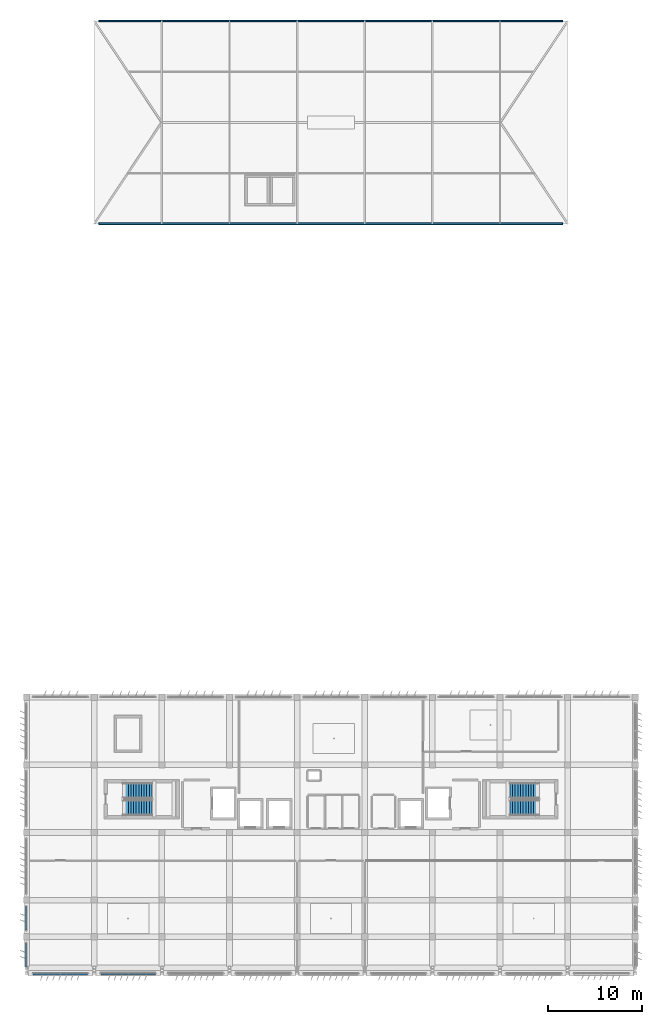
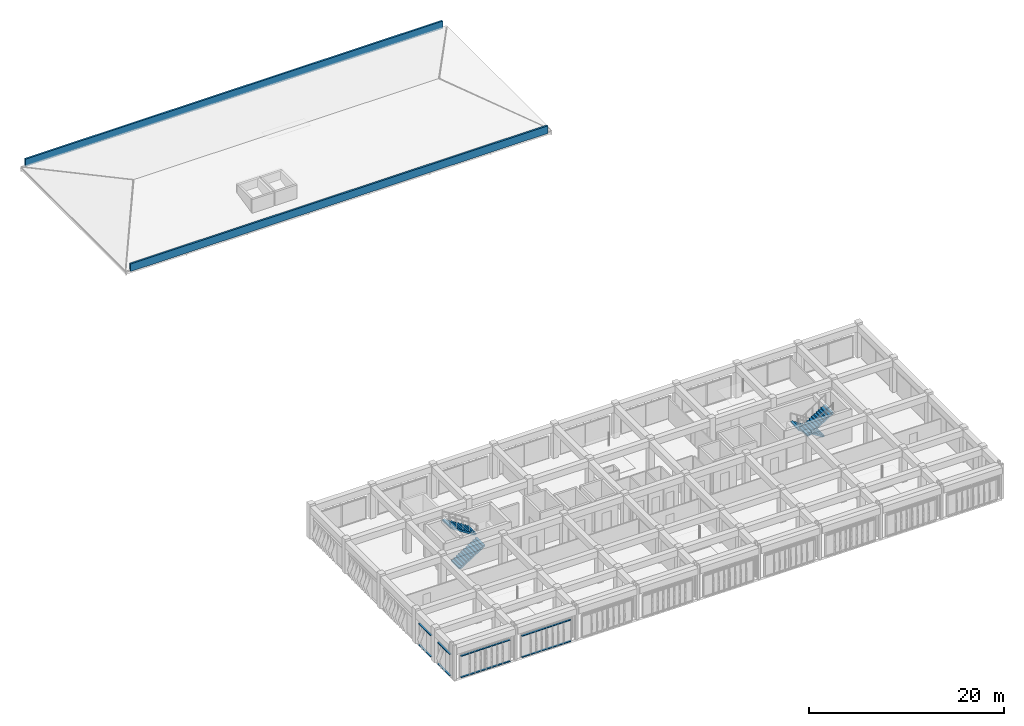
# One storey, part 36 of 53: 8 discrete accessories, 4 stair flights, 2 walls, 2 elements without a shape of their own.
"""IFC4 building model written with IfcOpenShell, lengths in metres."""

from ifc_helpers import new_model, si_unit, direction, frame, frame_2d, origin, origin_2d, place, context, subcontext, project, spatial, polyline, rectangle, outline, extrude, material, layer, layer_set, type_object, element, aggregate, save


model = new_model("IFC4")

# Units and contexts
model_context = context("Model", 3, precision=1e-05, world=origin(), true_north=direction((0.0, 1.0)))
body_context = subcontext(model_context, "Body", "Model", "MODEL_VIEW")
ifc_project = project(units=[si_unit("LENGTHUNIT", "METRE"), si_unit("AREAUNIT", "SQUARE_METRE"), si_unit("VOLUMEUNIT", "CUBIC_METRE"), si_unit("PLANEANGLEUNIT", "RADIAN"), si_unit("MASSUNIT", "GRAM", prefix="KILO")], contexts=[model_context])

# Site, building, storey
site_placement = place(None, origin())
site = spatial("IfcSite", under=ifc_project, at=site_placement, CompositionType="ELEMENT")
building_placement = place(site_placement, origin())
building = spatial("IfcBuilding", under=site, at=building_placement, Name="Kazehaya Institute of Natural Sciences", CompositionType="ELEMENT")
storey_placement = place(building_placement, frame((0.0, 0.0, 33.300048828125)))
storey = spatial("IfcBuildingStorey", under=building, at=storey_placement, Name="L07", CompositionType="ELEMENT", Elevation=33.300048828125)

# Walls
ifc_material_1 = material(Name="Precast concrete Fc36", Category="concrete")
ifc_layer = layer(ifc_material_1, 0.2099609375, Name="Precast concrete Fc36", Category="concrete")
ifc_layer_set = layer_set([ifc_layer], Name="Precast concrete Fc36")
wall_type = type_object("IfcWallType", Name="WL-PAR-210", PredefinedType="PARAPET", material=ifc_layer_set)
for number, where, z_axis, x_axis, name in (
    (1, (62.300048828125, 86.0, 0.0), (0.0, 0.0, 1.0), (1.0, 0.0, 0.0), "L07 roof parapet wall PAR-05"),
    (2, (62.300048828125, 107.60009765625, 0.0), (0.0, 0.0, 1.0), (1.0, 0.0, 0.0), "L07 roof parapet wall PAR-06"),
):
    element("IfcWall", number, at=place(storey_placement, frame(where, z_axis=z_axis, x_axis=x_axis)), inside=storey, type_object=wall_type, Name=name, PredefinedType="PARAPET", context=body_context, shape_type="SweptSolid", body=[
        extrude(rectangle(XDim=49.39990234375, YDim=0.2099609375, at=frame_2d((24.699951171875, 0.0))), origin(), (0.0, 0.0, 1.0), 0.949951171875),
    ])

# Stair, stair flights
ifc_material_2 = material(Name="Concrete Fc36", Category="concrete")
stair_type = type_object("IfcStairType", Name="STR-DOG-4320", PredefinedType="HALF_TURN_STAIR", material=ifc_material_2)
stair_1_placement = place(storey_placement, origin())
stair_1 = element("IfcStair", 3, at=stair_1_placement, inside=storey, type_object=stair_type, Name="L07 Protected Escape Stair ST-1", PredefinedType="HALF_TURN_STAIR")
stair_flight_type = type_object("IfcStairFlightType", Name="STF-DOG-4320", PredefinedType="STRAIGHT", material=ifc_material_2)
stair_flight_1_placement = place(storey_placement, frame((64.860107421875, 23.830078125, 0.0), z_axis=(0.0, 0.0, 1.0), x_axis=(1.0, 0.0, 0.0)))
stair_flight_1 = element("IfcStairFlight", 4, at=stair_flight_1_placement, type_object=stair_flight_type, Name="ST-1 flight 1", NumberOfRisers=12, NumberOfTreads=11, PredefinedType="STRAIGHT", RiserHeight=0.18, TreadLength=0.28, context=body_context, shape_type="SweptSolid", body=[
    extrude(outline(polyline([(0.0, 0.0), (0.0, 0.179931640625), (0.280029296875, 0.179931640625), (0.280029296875, 0.360107421875), (0.56005859375, 0.360107421875), (0.56005859375, 0.5400390625), (0.840087890625, 0.5400390625), (0.840087890625, 0.719970703125), (1.1201171875, 0.719970703125), (1.1201171875, 0.89990234375), (1.39990234375, 0.89990234375), (1.39990234375, 1.080078125), (1.679931640625, 1.080078125), (1.679931640625, 1.260009765625), (1.9599609375, 1.260009765625), (1.9599609375, 1.43994140625), (2.239990234375, 1.43994140625), (2.239990234375, 1.6201171875), (2.52001953125, 1.6201171875), (2.52001953125, 1.800048828125), (2.800048828125, 1.800048828125), (2.800048828125, 1.97998046875), (3.080078125, 1.97998046875), (3.080078125, 2.159912109375), (3.080078125, 1.8017578125), (0.277099609375, 0.0), (0.0, 0.0)])), frame((0.0, 0.830078125, 0.0), z_axis=(0.0, -1.0, 0.0), x_axis=(1.0, 0.0, 0.0)), (0.0, 0.0, 1.0), 1.659912109375),
])
stair_flight_2_placement = place(storey_placement, frame((67.93994140625, 25.64990234375, 2.159912109375), z_axis=(0.0, 0.0, 1.0), x_axis=(-1.0, 0.0, 0.0)))
stair_flight_2 = element("IfcStairFlight", 5, at=stair_flight_2_placement, type_object=stair_flight_type, Name="ST-1 flight 2", NumberOfRisers=12, NumberOfTreads=11, PredefinedType="STRAIGHT", RiserHeight=0.18, TreadLength=0.28, context=body_context, shape_type="SweptSolid", body=[
    extrude(outline(polyline([(0.0, 0.0), (0.0, 0.179931640625), (0.280029296875, 0.179931640625), (0.280029296875, 0.360107421875), (0.56005859375, 0.360107421875), (0.56005859375, 0.5400390625), (0.840087890625, 0.5400390625), (0.840087890625, 0.719970703125), (1.1201171875, 0.719970703125), (1.1201171875, 0.89990234375), (1.39990234375, 0.89990234375), (1.39990234375, 1.080078125), (1.679931640625, 1.080078125), (1.679931640625, 1.260009765625), (1.9599609375, 1.260009765625), (1.9599609375, 1.43994140625), (2.239990234375, 1.43994140625), (2.239990234375, 1.6201171875), (2.52001953125, 1.6201171875), (2.52001953125, 1.800048828125), (2.800048828125, 1.800048828125), (2.800048828125, 1.97998046875), (3.080078125, 1.97998046875), (3.080078125, 2.159912109375), (3.080078125, 1.8017578125), (0.277099609375, 0.0), (0.0, 0.0)])), frame((0.0, 0.830078125, 0.0), z_axis=(0.0, -1.0, 0.0), x_axis=(1.0, 0.0, 0.0)), (0.0, 0.0, 1.0), 1.659912109375),
])
aggregate(stair_1, [stair_flight_1, stair_flight_2])

stair_2_placement = place(storey_placement, origin())
stair_2 = element("IfcStair", 6, at=stair_2_placement, inside=storey, type_object=stair_type, Name="L07 Protected Escape Stair ST-2", PredefinedType="HALF_TURN_STAIR")
stair_flight_3_placement = place(storey_placement, frame((109.139892578125, 25.64990234375, 0.0), z_axis=(0.0, 0.0, 1.0), x_axis=(-1.0, 0.0, 0.0)))
stair_flight_3 = element("IfcStairFlight", 7, at=stair_flight_3_placement, type_object=stair_flight_type, Name="ST-2 flight 1", NumberOfRisers=12, NumberOfTreads=11, PredefinedType="STRAIGHT", RiserHeight=0.18, TreadLength=0.28, context=body_context, shape_type="SweptSolid", body=[
    extrude(outline(polyline([(0.0, 0.0), (0.0, 0.179931640625), (0.280029296875, 0.179931640625), (0.280029296875, 0.360107421875), (0.56005859375, 0.360107421875), (0.56005859375, 0.5400390625), (0.840087890625, 0.5400390625), (0.840087890625, 0.719970703125), (1.1201171875, 0.719970703125), (1.1201171875, 0.89990234375), (1.39990234375, 0.89990234375), (1.39990234375, 1.080078125), (1.679931640625, 1.080078125), (1.679931640625, 1.260009765625), (1.9599609375, 1.260009765625), (1.9599609375, 1.43994140625), (2.239990234375, 1.43994140625), (2.239990234375, 1.6201171875), (2.52001953125, 1.6201171875), (2.52001953125, 1.800048828125), (2.800048828125, 1.800048828125), (2.800048828125, 1.97998046875), (3.080078125, 1.97998046875), (3.080078125, 2.159912109375), (3.080078125, 1.8017578125), (0.277099609375, 0.0), (0.0, 0.0)])), frame((0.0, 0.830078125, 0.0), z_axis=(0.0, -1.0, 0.0), x_axis=(1.0, 0.0, 0.0)), (0.0, 0.0, 1.0), 1.659912109375),
])
stair_flight_4_placement = place(storey_placement, frame((106.06005859375, 23.830078125, 2.159912109375), z_axis=(0.0, 0.0, 1.0), x_axis=(1.0, 0.0, 0.0)))
stair_flight_4 = element("IfcStairFlight", 8, at=stair_flight_4_placement, type_object=stair_flight_type, Name="ST-2 flight 2", NumberOfRisers=12, NumberOfTreads=11, PredefinedType="STRAIGHT", RiserHeight=0.18, TreadLength=0.28, context=body_context, shape_type="SweptSolid", body=[
    extrude(outline(polyline([(0.0, 0.0), (0.0, 0.179931640625), (0.280029296875, 0.179931640625), (0.280029296875, 0.360107421875), (0.56005859375, 0.360107421875), (0.56005859375, 0.5400390625), (0.840087890625, 0.5400390625), (0.840087890625, 0.719970703125), (1.1201171875, 0.719970703125), (1.1201171875, 0.89990234375), (1.39990234375, 0.89990234375), (1.39990234375, 1.080078125), (1.679931640625, 1.080078125), (1.679931640625, 1.260009765625), (1.9599609375, 1.260009765625), (1.9599609375, 1.43994140625), (2.239990234375, 1.43994140625), (2.239990234375, 1.6201171875), (2.52001953125, 1.6201171875), (2.52001953125, 1.800048828125), (2.800048828125, 1.800048828125), (2.800048828125, 1.97998046875), (3.080078125, 1.97998046875), (3.080078125, 2.159912109375), (3.080078125, 1.8017578125), (0.277099609375, 0.0), (0.0, 0.0)])), frame((0.0, 0.830078125, 0.0), z_axis=(0.0, -1.0, 0.0), x_axis=(1.0, 0.0, 0.0)), (0.0, 0.0, 1.0), 1.659912109375),
])
aggregate(stair_2, [stair_flight_3, stair_flight_4])

# Discrete accessories
ifc_material_3 = material(Name="Aluminium alloy A6063S-T5", Category="aluminium")
discrete_accessory_type = type_object("IfcDiscreteAccessoryType", Name="ACC-BRK-01", PredefinedType="BRACKET", material=ifc_material_3)
for number, where, z_axis, x_axis, name in (
    (9, (65.39990234375, 6.125, 0.039794921875), (0.0, 0.0, 1.0), (-1.0, 0.0, 0.0), "L07 fin support outrigger rail 1"),
    (10, (65.39990234375, 6.125, 2.699951171875), (0.0, 0.0, 1.0), (-1.0, 0.0, 0.0), "L07 fin support outrigger rail 2"),
    (11, (58.199951171875, 6.125, 0.039794921875), (0.0, 0.0, 1.0), (-1.0, 0.0, 0.0), "L07 fin support outrigger rail 1"),
    (12, (58.199951171875, 6.125, 2.699951171875), (0.0, 0.0, 1.0), (-1.0, 0.0, 0.0), "L07 fin support outrigger rail 2"),
):
    element("IfcDiscreteAccessory", number, at=place(storey_placement, frame(where, z_axis=z_axis, x_axis=x_axis)), inside=storey, type_object=discrete_accessory_type, Name=name, PredefinedType="BRACKET", context=body_context, shape_type="SweptSolid", body=[
        extrude(rectangle(XDim=5.800048828125, YDim=0.219970703125, at=origin_2d()), origin(), (0.0, 0.0, 1.0), 0.080078125),
    ])
for number, where, z_axis, x_axis, name in (
    (13, (54.52490234375, 8.14990234375, 0.039794921875), (0.0, 0.0, 1.0), (0.0, 1.0, 0.0), "L07 fin support outrigger rail 1"),
    (14, (54.52490234375, 8.14990234375, 2.699951171875), (0.0, 0.0, 1.0), (0.0, 1.0, 0.0), "L07 fin support outrigger rail 2"),
    (15, (54.52490234375, 12.050048828125, 0.039794921875), (0.0, 0.0, 1.0), (0.0, 1.0, 0.0), "L07 fin support outrigger rail 1"),
    (16, (54.52490234375, 12.050048828125, 2.699951171875), (0.0, 0.0, 1.0), (0.0, 1.0, 0.0), "L07 fin support outrigger rail 2"),
):
    element("IfcDiscreteAccessory", number, at=place(storey_placement, frame(where, z_axis=z_axis, x_axis=x_axis)), inside=storey, type_object=discrete_accessory_type, Name=name, PredefinedType="BRACKET", context=body_context, shape_type="SweptSolid", body=[
        extrude(rectangle(XDim=2.5, YDim=0.219970703125, at=origin_2d()), origin(), (0.0, 0.0, 1.0), 0.080078125),
    ])

save(model, "model.ifc")
